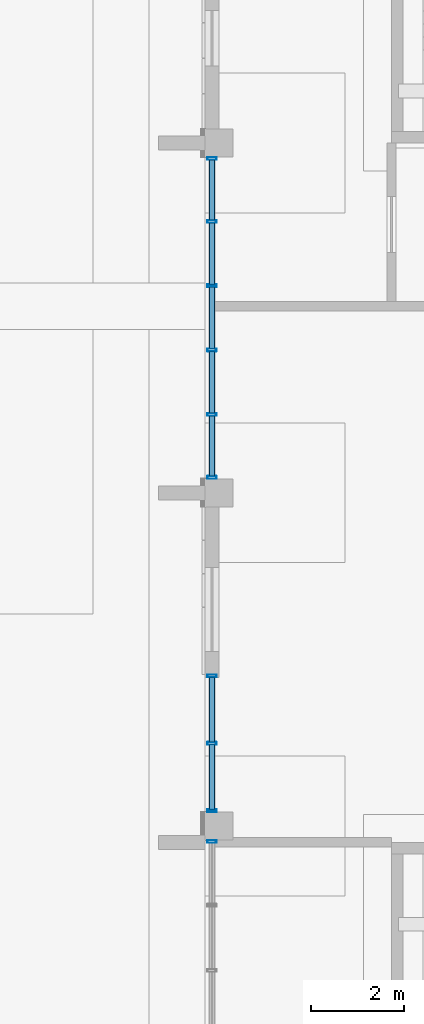
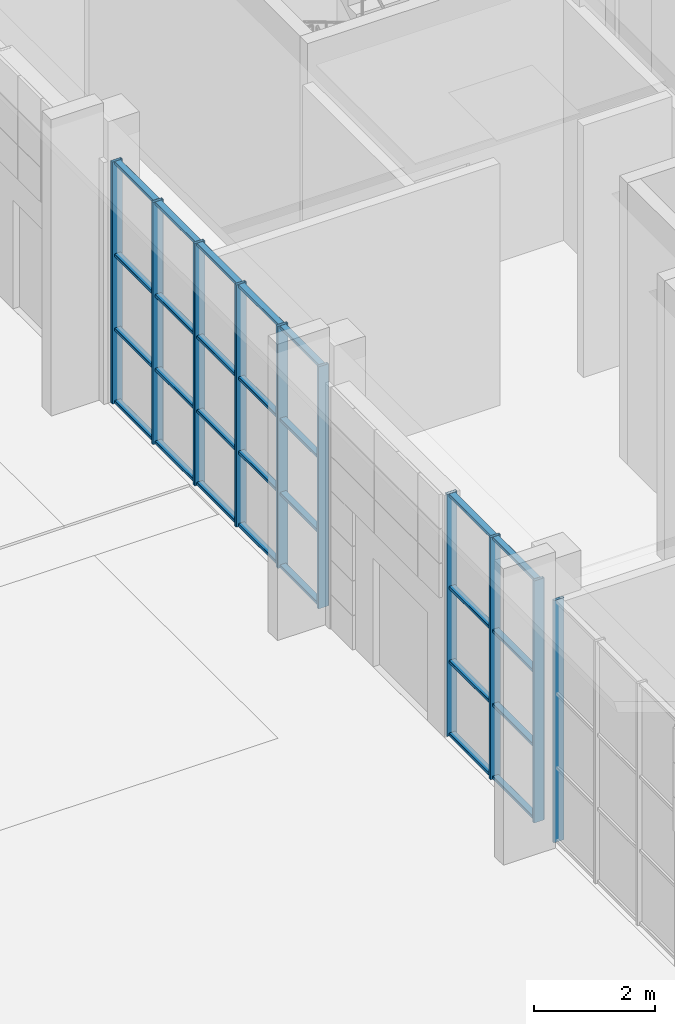
# One storey, part 32 of 125: 38 members, 3 elements without a shape of their own.
"""IFC4 building model written with IfcOpenShell, lengths in metres."""

from ifc_helpers import new_model, si_unit, direction, frame, origin, origin_2d, place, context, subcontext, project, spatial, hollow_rectangle, extrude, material, material_profile, profile_set, type_object, element, aggregate, save


model = new_model("IFC4")

# Units and contexts
model_context = context("Model", 3, precision=1e-05, world=origin(), true_north=direction((0.0, 1.0)))
body_context = subcontext(model_context, "Body", "Model", "MODEL_VIEW")
ifc_project = project(units=[si_unit("LENGTHUNIT", "METRE"), si_unit("AREAUNIT", "SQUARE_METRE"), si_unit("VOLUMEUNIT", "CUBIC_METRE"), si_unit("PLANEANGLEUNIT", "RADIAN"), si_unit("MASSUNIT", "GRAM", prefix="KILO")], contexts=[model_context])

# Site, building, storey
site_placement = place(None, origin())
site = spatial("IfcSite", under=ifc_project, at=site_placement, CompositionType="ELEMENT")
building_placement = place(site_placement, origin())
building = spatial("IfcBuilding", under=site, at=building_placement, Name="Sun Court Science Centre", CompositionType="ELEMENT")
storey_placement = place(building_placement, origin())
storey = spatial("IfcBuildingStorey", under=building, at=storey_placement, Name="L00", CompositionType="ELEMENT", Elevation=0.0)

# Curtain wall, member
ifc_material_1 = material(Name="Aluminium EN AW-6063 T6", Category="aluminium")
curtain_wall_type = type_object("IfcCurtainWallType", Name="Laboratory tall bay curtain wall 1500", PredefinedType="NOTDEFINED", material=ifc_material_1)
curtain_wall_1_placement = place(storey_placement, origin())
curtain_wall_1 = element("IfcCurtainWall", 1, at=curtain_wall_1_placement, inside=storey, type_object=curtain_wall_type, Name="Curtain wall V4 W L00 04", PredefinedType="NOTDEFINED")
ifc_material_2 = material(Name="Aluminium EN AW-6063 T6", Category="aluminium")
ifc_material_profile_1 = material_profile(ifc_material_2, hollow_rectangle(XDim=0.06005859375, YDim=0.199951171875, WallThickness=0.0048828125, InnerFilletRadius=0.0048828125, OuterFilletRadius=0.007568359375, at=origin_2d()), Name="AL 60x200x5")
ifc_profile_set_1 = profile_set([ifc_material_profile_1], Name="Aluminium EN AW-6063 T6")
member_type_1 = type_object("IfcMemberType", Name="Curtain wall mullion AL 60x200", PredefinedType="MULLION", material=ifc_profile_set_1)
member_1_placement = place(storey_placement, frame((78.14990234375, 43.52001953125, 0.0), z_axis=(0.0, 0.0, 1.0), x_axis=(0.0, 1.0, 0.0)))
member_1 = element("IfcMember", 2, at=member_1_placement, type_object=member_type_1, Name="CW2-04 mullion 4", PredefinedType="MULLION", context=body_context, shape_type="SweptSolid", body=[
    extrude(hollow_rectangle(XDim=0.06005859375, YDim=0.199951171875, WallThickness=0.0048828125, InnerFilletRadius=0.0048828125, OuterFilletRadius=0.007568359375, at=origin_2d()), origin(), (0.0, 0.0, 1.0), 4.89990234375),
])
aggregate(curtain_wall_1, [member_1])

# Curtain wall, members
curtain_wall_2_placement = place(storey_placement, origin())
curtain_wall_2 = element("IfcCurtainWall", 3, at=curtain_wall_2_placement, inside=storey, type_object=curtain_wall_type, Name="Curtain wall V4 W L00 05", PredefinedType="NOTDEFINED")
member_2_placement = place(storey_placement, frame((78.14990234375, 44.179931640625, 0.0), z_axis=(0.0, 0.0, 1.0), x_axis=(0.0, 1.0, 0.0)))
member_2 = element("IfcMember", 4, at=member_2_placement, type_object=member_type_1, Name="CW2-05 mullion 1", PredefinedType="MULLION", context=body_context, shape_type="SweptSolid", body=[
    extrude(hollow_rectangle(XDim=0.06005859375, YDim=0.199951171875, WallThickness=0.0048828125, InnerFilletRadius=0.0048828125, OuterFilletRadius=0.007568359375, at=origin_2d()), origin(), (0.0, 0.0, 1.0), 4.89990234375),
])
member_3_placement = place(storey_placement, frame((78.14990234375, 45.625, 0.0), z_axis=(0.0, 0.0, 1.0), x_axis=(0.0, 1.0, 0.0)))
member_3 = element("IfcMember", 5, at=member_3_placement, type_object=member_type_1, Name="CW2-05 mullion 2", PredefinedType="MULLION", context=body_context, shape_type="SweptSolid", body=[
    extrude(hollow_rectangle(XDim=0.06005859375, YDim=0.199951171875, WallThickness=0.0048828125, InnerFilletRadius=0.0048828125, OuterFilletRadius=0.007568359375, at=origin_2d()), origin(), (0.0, 0.0, 1.0), 4.89990234375),
])
member_4_placement = place(storey_placement, frame((78.14990234375, 47.070068359375, 0.0), z_axis=(0.0, 0.0, 1.0), x_axis=(0.0, 1.0, 0.0)))
member_4 = element("IfcMember", 6, at=member_4_placement, type_object=member_type_1, Name="CW2-05 mullion 3", PredefinedType="MULLION", context=body_context, shape_type="SweptSolid", body=[
    extrude(hollow_rectangle(XDim=0.06005859375, YDim=0.199951171875, WallThickness=0.0048828125, InnerFilletRadius=0.0048828125, OuterFilletRadius=0.007568359375, at=origin_2d()), origin(), (0.0, 0.0, 1.0), 4.89990234375),
])

curtain_wall_3_placement = place(storey_placement, origin())
curtain_wall_3 = element("IfcCurtainWall", 7, at=curtain_wall_3_placement, inside=storey, type_object=curtain_wall_type, Name="Curtain wall V4 W L00 06", PredefinedType="NOTDEFINED")
member_5_placement = place(storey_placement, frame((78.14990234375, 51.330078125, 0.0), z_axis=(0.0, 0.0, 1.0), x_axis=(0.0, 1.0, 0.0)))
member_5 = element("IfcMember", 8, at=member_5_placement, type_object=member_type_1, Name="CW2-06 mullion 1", PredefinedType="MULLION", context=body_context, shape_type="SweptSolid", body=[
    extrude(hollow_rectangle(XDim=0.06005859375, YDim=0.199951171875, WallThickness=0.0048828125, InnerFilletRadius=0.0048828125, OuterFilletRadius=0.007568359375, at=origin_2d()), origin(), (0.0, 0.0, 1.0), 4.89990234375),
])
member_6_placement = place(storey_placement, frame((78.14990234375, 52.679931640625, 0.0), z_axis=(0.0, 0.0, 1.0), x_axis=(0.0, 1.0, 0.0)))
member_6 = element("IfcMember", 9, at=member_6_placement, type_object=member_type_1, Name="CW2-06 mullion 2", PredefinedType="MULLION", context=body_context, shape_type="SweptSolid", body=[
    extrude(hollow_rectangle(XDim=0.06005859375, YDim=0.199951171875, WallThickness=0.0048828125, InnerFilletRadius=0.0048828125, OuterFilletRadius=0.007568359375, at=origin_2d()), origin(), (0.0, 0.0, 1.0), 4.89990234375),
])
member_7_placement = place(storey_placement, frame((78.14990234375, 54.06005859375, 0.0), z_axis=(0.0, 0.0, 1.0), x_axis=(0.0, 1.0, 0.0)))
member_7 = element("IfcMember", 10, at=member_7_placement, type_object=member_type_1, Name="CW2-06 mullion 3", PredefinedType="MULLION", context=body_context, shape_type="SweptSolid", body=[
    extrude(hollow_rectangle(XDim=0.06005859375, YDim=0.199951171875, WallThickness=0.0048828125, InnerFilletRadius=0.0048828125, OuterFilletRadius=0.007568359375, at=origin_2d()), origin(), (0.0, 0.0, 1.0), 4.89990234375),
])
member_8_placement = place(storey_placement, frame((78.14990234375, 55.43994140625, 0.0), z_axis=(0.0, 0.0, 1.0), x_axis=(0.0, 1.0, 0.0)))
member_8 = element("IfcMember", 11, at=member_8_placement, type_object=member_type_1, Name="CW2-06 mullion 4", PredefinedType="MULLION", context=body_context, shape_type="SweptSolid", body=[
    extrude(hollow_rectangle(XDim=0.06005859375, YDim=0.199951171875, WallThickness=0.0048828125, InnerFilletRadius=0.0048828125, OuterFilletRadius=0.007568359375, at=origin_2d()), origin(), (0.0, 0.0, 1.0), 4.89990234375),
])
member_9_placement = place(storey_placement, frame((78.14990234375, 56.820068359375, 0.0), z_axis=(0.0, 0.0, 1.0), x_axis=(0.0, 1.0, 0.0)))
member_9 = element("IfcMember", 12, at=member_9_placement, type_object=member_type_1, Name="CW2-06 mullion 5", PredefinedType="MULLION", context=body_context, shape_type="SweptSolid", body=[
    extrude(hollow_rectangle(XDim=0.06005859375, YDim=0.199951171875, WallThickness=0.0048828125, InnerFilletRadius=0.0048828125, OuterFilletRadius=0.007568359375, at=origin_2d()), origin(), (0.0, 0.0, 1.0), 4.89990234375),
])
member_10_placement = place(storey_placement, frame((78.14990234375, 58.169921875, 0.0), z_axis=(0.0, 0.0, 1.0), x_axis=(0.0, 1.0, 0.0)))
member_10 = element("IfcMember", 13, at=member_10_placement, type_object=member_type_1, Name="CW2-06 mullion 6", PredefinedType="MULLION", context=body_context, shape_type="SweptSolid", body=[
    extrude(hollow_rectangle(XDim=0.06005859375, YDim=0.199951171875, WallThickness=0.0048828125, InnerFilletRadius=0.0048828125, OuterFilletRadius=0.007568359375, at=origin_2d()), origin(), (0.0, 0.0, 1.0), 4.89990234375),
])

# Member
ifc_material_3 = material(Name="Aluminium EN AW-6063 T6", Category="aluminium")
ifc_material_profile_2 = material_profile(ifc_material_3, hollow_rectangle(XDim=0.06005859375, YDim=0.1201171875, WallThickness=0.00390625, InnerFilletRadius=0.00390625, OuterFilletRadius=0.006103515625, at=origin_2d()), Name="AL 60x120x4")
ifc_profile_set_2 = profile_set([ifc_material_profile_2], Name="Aluminium EN AW-6063 T6")
member_type_2 = type_object("IfcMemberType", Name="Curtain wall transom AL 60x120", PredefinedType="USERDEFINED", material=ifc_profile_set_2)
member_11_placement = place(storey_placement, frame((78.14990234375, 44.2099609375, 0.030029296875), z_axis=(0.0, 1.0, 0.0), x_axis=(0.0, 0.0, 1.0)))
member_11 = element("IfcMember", 14, at=member_11_placement, type_object=member_type_2, Name="CW2-05 transom 1.1", ObjectType="TRANSOM", PredefinedType="USERDEFINED", context=body_context, shape_type="SweptSolid", body=[
    extrude(hollow_rectangle(XDim=0.06005859375, YDim=0.1201171875, WallThickness=0.00390625, InnerFilletRadius=0.00390625, OuterFilletRadius=0.006103515625, at=origin_2d()), origin(), (0.0, 0.0, 1.0), 1.385009765625),
])

member_12_placement = place(storey_placement, frame((78.14990234375, 45.655029296875, 0.030029296875), z_axis=(0.0, 1.0, 0.0), x_axis=(0.0, 0.0, 1.0)))
member_12 = element("IfcMember", 15, at=member_12_placement, type_object=member_type_2, Name="CW2-05 transom 2.1", ObjectType="TRANSOM", PredefinedType="USERDEFINED", context=body_context, shape_type="SweptSolid", body=[
    extrude(hollow_rectangle(XDim=0.06005859375, YDim=0.1201171875, WallThickness=0.00390625, InnerFilletRadius=0.00390625, OuterFilletRadius=0.006103515625, at=origin_2d()), origin(), (0.0, 0.0, 1.0), 1.385009765625),
])

member_13_placement = place(storey_placement, frame((78.14990234375, 44.2099609375, 1.5), z_axis=(0.0, 1.0, 0.0), x_axis=(0.0, 0.0, 1.0)))
member_13 = element("IfcMember", 16, at=member_13_placement, type_object=member_type_2, Name="CW2-05 transom 1.2", ObjectType="TRANSOM", PredefinedType="USERDEFINED", context=body_context, shape_type="SweptSolid", body=[
    extrude(hollow_rectangle(XDim=0.06005859375, YDim=0.1201171875, WallThickness=0.00390625, InnerFilletRadius=0.00390625, OuterFilletRadius=0.006103515625, at=origin_2d()), origin(), (0.0, 0.0, 1.0), 1.385009765625),
])

member_14_placement = place(storey_placement, frame((78.14990234375, 45.655029296875, 1.5), z_axis=(0.0, 1.0, 0.0), x_axis=(0.0, 0.0, 1.0)))
member_14 = element("IfcMember", 17, at=member_14_placement, type_object=member_type_2, Name="CW2-05 transom 2.2", ObjectType="TRANSOM", PredefinedType="USERDEFINED", context=body_context, shape_type="SweptSolid", body=[
    extrude(hollow_rectangle(XDim=0.06005859375, YDim=0.1201171875, WallThickness=0.00390625, InnerFilletRadius=0.00390625, OuterFilletRadius=0.006103515625, at=origin_2d()), origin(), (0.0, 0.0, 1.0), 1.385009765625),
])

member_15_placement = place(storey_placement, frame((78.14990234375, 44.2099609375, 3.0), z_axis=(0.0, 1.0, 0.0), x_axis=(0.0, 0.0, 1.0)))
member_15 = element("IfcMember", 18, at=member_15_placement, type_object=member_type_2, Name="CW2-05 transom 1.3", ObjectType="TRANSOM", PredefinedType="USERDEFINED", context=body_context, shape_type="SweptSolid", body=[
    extrude(hollow_rectangle(XDim=0.06005859375, YDim=0.1201171875, WallThickness=0.00390625, InnerFilletRadius=0.00390625, OuterFilletRadius=0.006103515625, at=origin_2d()), origin(), (0.0, 0.0, 1.0), 1.385009765625),
])

member_16_placement = place(storey_placement, frame((78.14990234375, 45.655029296875, 3.0), z_axis=(0.0, 1.0, 0.0), x_axis=(0.0, 0.0, 1.0)))
member_16 = element("IfcMember", 19, at=member_16_placement, type_object=member_type_2, Name="CW2-05 transom 2.3", ObjectType="TRANSOM", PredefinedType="USERDEFINED", context=body_context, shape_type="SweptSolid", body=[
    extrude(hollow_rectangle(XDim=0.06005859375, YDim=0.1201171875, WallThickness=0.00390625, InnerFilletRadius=0.00390625, OuterFilletRadius=0.006103515625, at=origin_2d()), origin(), (0.0, 0.0, 1.0), 1.385009765625),
])

member_17_placement = place(storey_placement, frame((78.14990234375, 44.2099609375, 4.8701171875), z_axis=(0.0, 1.0, 0.0), x_axis=(0.0, 0.0, 1.0)))
member_17 = element("IfcMember", 20, at=member_17_placement, type_object=member_type_2, Name="CW2-05 transom 1.4", ObjectType="TRANSOM", PredefinedType="USERDEFINED", context=body_context, shape_type="SweptSolid", body=[
    extrude(hollow_rectangle(XDim=0.06005859375, YDim=0.1201171875, WallThickness=0.00390625, InnerFilletRadius=0.00390625, OuterFilletRadius=0.006103515625, at=origin_2d()), origin(), (0.0, 0.0, 1.0), 1.385009765625),
])

member_18_placement = place(storey_placement, frame((78.14990234375, 45.655029296875, 4.8701171875), z_axis=(0.0, 1.0, 0.0), x_axis=(0.0, 0.0, 1.0)))
member_18 = element("IfcMember", 21, at=member_18_placement, type_object=member_type_2, Name="CW2-05 transom 2.4", ObjectType="TRANSOM", PredefinedType="USERDEFINED", context=body_context, shape_type="SweptSolid", body=[
    extrude(hollow_rectangle(XDim=0.06005859375, YDim=0.1201171875, WallThickness=0.00390625, InnerFilletRadius=0.00390625, OuterFilletRadius=0.006103515625, at=origin_2d()), origin(), (0.0, 0.0, 1.0), 1.385009765625),
])

aggregate(curtain_wall_2, [member_2, member_3, member_4, member_11, member_12, member_13, member_14, member_15, member_16, member_17, member_18])

member_19_placement = place(storey_placement, frame((78.14990234375, 51.360107421875, 0.030029296875), z_axis=(0.0, 1.0, 0.0), x_axis=(0.0, 0.0, 1.0)))
member_19 = element("IfcMember", 22, at=member_19_placement, type_object=member_type_2, Name="CW2-06 transom 1.1", ObjectType="TRANSOM", PredefinedType="USERDEFINED", context=body_context, shape_type="SweptSolid", body=[
    extrude(hollow_rectangle(XDim=0.06005859375, YDim=0.1201171875, WallThickness=0.00390625, InnerFilletRadius=0.00390625, OuterFilletRadius=0.006103515625, at=origin_2d()), origin(), (0.0, 0.0, 1.0), 1.289794921875),
])

member_20_placement = place(storey_placement, frame((78.14990234375, 52.7099609375, 0.030029296875), z_axis=(0.0, 1.0, 0.0), x_axis=(0.0, 0.0, 1.0)))
member_20 = element("IfcMember", 23, at=member_20_placement, type_object=member_type_2, Name="CW2-06 transom 2.1", ObjectType="TRANSOM", PredefinedType="USERDEFINED", context=body_context, shape_type="SweptSolid", body=[
    extrude(hollow_rectangle(XDim=0.06005859375, YDim=0.1201171875, WallThickness=0.00390625, InnerFilletRadius=0.00390625, OuterFilletRadius=0.006103515625, at=origin_2d()), origin(), (0.0, 0.0, 1.0), 1.320068359375),
])

member_21_placement = place(storey_placement, frame((78.14990234375, 54.090087890625, 0.030029296875), z_axis=(0.0, 1.0, 0.0), x_axis=(0.0, 0.0, 1.0)))
member_21 = element("IfcMember", 24, at=member_21_placement, type_object=member_type_2, Name="CW2-06 transom 3.1", ObjectType="TRANSOM", PredefinedType="USERDEFINED", context=body_context, shape_type="SweptSolid", body=[
    extrude(hollow_rectangle(XDim=0.06005859375, YDim=0.1201171875, WallThickness=0.00390625, InnerFilletRadius=0.00390625, OuterFilletRadius=0.006103515625, at=origin_2d()), origin(), (0.0, 0.0, 1.0), 1.31982421875),
])

member_22_placement = place(storey_placement, frame((78.14990234375, 55.469970703125, 0.030029296875), z_axis=(0.0, 1.0, 0.0), x_axis=(0.0, 0.0, 1.0)))
member_22 = element("IfcMember", 25, at=member_22_placement, type_object=member_type_2, Name="CW2-06 transom 4.1", ObjectType="TRANSOM", PredefinedType="USERDEFINED", context=body_context, shape_type="SweptSolid", body=[
    extrude(hollow_rectangle(XDim=0.06005859375, YDim=0.1201171875, WallThickness=0.00390625, InnerFilletRadius=0.00390625, OuterFilletRadius=0.006103515625, at=origin_2d()), origin(), (0.0, 0.0, 1.0), 1.320068359375),
])

member_23_placement = place(storey_placement, frame((78.14990234375, 56.85009765625, 0.030029296875), z_axis=(0.0, 1.0, 0.0), x_axis=(0.0, 0.0, 1.0)))
member_23 = element("IfcMember", 26, at=member_23_placement, type_object=member_type_2, Name="CW2-06 transom 5.1", ObjectType="TRANSOM", PredefinedType="USERDEFINED", context=body_context, shape_type="SweptSolid", body=[
    extrude(hollow_rectangle(XDim=0.06005859375, YDim=0.1201171875, WallThickness=0.00390625, InnerFilletRadius=0.00390625, OuterFilletRadius=0.006103515625, at=origin_2d()), origin(), (0.0, 0.0, 1.0), 1.289794921875),
])

member_24_placement = place(storey_placement, frame((78.14990234375, 51.360107421875, 1.5), z_axis=(0.0, 1.0, 0.0), x_axis=(0.0, 0.0, 1.0)))
member_24 = element("IfcMember", 27, at=member_24_placement, type_object=member_type_2, Name="CW2-06 transom 1.2", ObjectType="TRANSOM", PredefinedType="USERDEFINED", context=body_context, shape_type="SweptSolid", body=[
    extrude(hollow_rectangle(XDim=0.06005859375, YDim=0.1201171875, WallThickness=0.00390625, InnerFilletRadius=0.00390625, OuterFilletRadius=0.006103515625, at=origin_2d()), origin(), (0.0, 0.0, 1.0), 1.289794921875),
])

member_25_placement = place(storey_placement, frame((78.14990234375, 52.7099609375, 1.5), z_axis=(0.0, 1.0, 0.0), x_axis=(0.0, 0.0, 1.0)))
member_25 = element("IfcMember", 28, at=member_25_placement, type_object=member_type_2, Name="CW2-06 transom 2.2", ObjectType="TRANSOM", PredefinedType="USERDEFINED", context=body_context, shape_type="SweptSolid", body=[
    extrude(hollow_rectangle(XDim=0.06005859375, YDim=0.1201171875, WallThickness=0.00390625, InnerFilletRadius=0.00390625, OuterFilletRadius=0.006103515625, at=origin_2d()), origin(), (0.0, 0.0, 1.0), 1.320068359375),
])

member_26_placement = place(storey_placement, frame((78.14990234375, 54.090087890625, 1.5), z_axis=(0.0, 1.0, 0.0), x_axis=(0.0, 0.0, 1.0)))
member_26 = element("IfcMember", 29, at=member_26_placement, type_object=member_type_2, Name="CW2-06 transom 3.2", ObjectType="TRANSOM", PredefinedType="USERDEFINED", context=body_context, shape_type="SweptSolid", body=[
    extrude(hollow_rectangle(XDim=0.06005859375, YDim=0.1201171875, WallThickness=0.00390625, InnerFilletRadius=0.00390625, OuterFilletRadius=0.006103515625, at=origin_2d()), origin(), (0.0, 0.0, 1.0), 1.31982421875),
])

member_27_placement = place(storey_placement, frame((78.14990234375, 55.469970703125, 1.5), z_axis=(0.0, 1.0, 0.0), x_axis=(0.0, 0.0, 1.0)))
member_27 = element("IfcMember", 30, at=member_27_placement, type_object=member_type_2, Name="CW2-06 transom 4.2", ObjectType="TRANSOM", PredefinedType="USERDEFINED", context=body_context, shape_type="SweptSolid", body=[
    extrude(hollow_rectangle(XDim=0.06005859375, YDim=0.1201171875, WallThickness=0.00390625, InnerFilletRadius=0.00390625, OuterFilletRadius=0.006103515625, at=origin_2d()), origin(), (0.0, 0.0, 1.0), 1.320068359375),
])

member_28_placement = place(storey_placement, frame((78.14990234375, 56.85009765625, 1.5), z_axis=(0.0, 1.0, 0.0), x_axis=(0.0, 0.0, 1.0)))
member_28 = element("IfcMember", 31, at=member_28_placement, type_object=member_type_2, Name="CW2-06 transom 5.2", ObjectType="TRANSOM", PredefinedType="USERDEFINED", context=body_context, shape_type="SweptSolid", body=[
    extrude(hollow_rectangle(XDim=0.06005859375, YDim=0.1201171875, WallThickness=0.00390625, InnerFilletRadius=0.00390625, OuterFilletRadius=0.006103515625, at=origin_2d()), origin(), (0.0, 0.0, 1.0), 1.289794921875),
])

member_29_placement = place(storey_placement, frame((78.14990234375, 51.360107421875, 3.0), z_axis=(0.0, 1.0, 0.0), x_axis=(0.0, 0.0, 1.0)))
member_29 = element("IfcMember", 32, at=member_29_placement, type_object=member_type_2, Name="CW2-06 transom 1.3", ObjectType="TRANSOM", PredefinedType="USERDEFINED", context=body_context, shape_type="SweptSolid", body=[
    extrude(hollow_rectangle(XDim=0.06005859375, YDim=0.1201171875, WallThickness=0.00390625, InnerFilletRadius=0.00390625, OuterFilletRadius=0.006103515625, at=origin_2d()), origin(), (0.0, 0.0, 1.0), 1.289794921875),
])

member_30_placement = place(storey_placement, frame((78.14990234375, 52.7099609375, 3.0), z_axis=(0.0, 1.0, 0.0), x_axis=(0.0, 0.0, 1.0)))
member_30 = element("IfcMember", 33, at=member_30_placement, type_object=member_type_2, Name="CW2-06 transom 2.3", ObjectType="TRANSOM", PredefinedType="USERDEFINED", context=body_context, shape_type="SweptSolid", body=[
    extrude(hollow_rectangle(XDim=0.06005859375, YDim=0.1201171875, WallThickness=0.00390625, InnerFilletRadius=0.00390625, OuterFilletRadius=0.006103515625, at=origin_2d()), origin(), (0.0, 0.0, 1.0), 1.320068359375),
])

member_31_placement = place(storey_placement, frame((78.14990234375, 54.090087890625, 3.0), z_axis=(0.0, 1.0, 0.0), x_axis=(0.0, 0.0, 1.0)))
member_31 = element("IfcMember", 34, at=member_31_placement, type_object=member_type_2, Name="CW2-06 transom 3.3", ObjectType="TRANSOM", PredefinedType="USERDEFINED", context=body_context, shape_type="SweptSolid", body=[
    extrude(hollow_rectangle(XDim=0.06005859375, YDim=0.1201171875, WallThickness=0.00390625, InnerFilletRadius=0.00390625, OuterFilletRadius=0.006103515625, at=origin_2d()), origin(), (0.0, 0.0, 1.0), 1.31982421875),
])

member_32_placement = place(storey_placement, frame((78.14990234375, 55.469970703125, 3.0), z_axis=(0.0, 1.0, 0.0), x_axis=(0.0, 0.0, 1.0)))
member_32 = element("IfcMember", 35, at=member_32_placement, type_object=member_type_2, Name="CW2-06 transom 4.3", ObjectType="TRANSOM", PredefinedType="USERDEFINED", context=body_context, shape_type="SweptSolid", body=[
    extrude(hollow_rectangle(XDim=0.06005859375, YDim=0.1201171875, WallThickness=0.00390625, InnerFilletRadius=0.00390625, OuterFilletRadius=0.006103515625, at=origin_2d()), origin(), (0.0, 0.0, 1.0), 1.320068359375),
])

member_33_placement = place(storey_placement, frame((78.14990234375, 56.85009765625, 3.0), z_axis=(0.0, 1.0, 0.0), x_axis=(0.0, 0.0, 1.0)))
member_33 = element("IfcMember", 36, at=member_33_placement, type_object=member_type_2, Name="CW2-06 transom 5.3", ObjectType="TRANSOM", PredefinedType="USERDEFINED", context=body_context, shape_type="SweptSolid", body=[
    extrude(hollow_rectangle(XDim=0.06005859375, YDim=0.1201171875, WallThickness=0.00390625, InnerFilletRadius=0.00390625, OuterFilletRadius=0.006103515625, at=origin_2d()), origin(), (0.0, 0.0, 1.0), 1.289794921875),
])

member_34_placement = place(storey_placement, frame((78.14990234375, 51.360107421875, 4.8701171875), z_axis=(0.0, 1.0, 0.0), x_axis=(0.0, 0.0, 1.0)))
member_34 = element("IfcMember", 37, at=member_34_placement, type_object=member_type_2, Name="CW2-06 transom 1.4", ObjectType="TRANSOM", PredefinedType="USERDEFINED", context=body_context, shape_type="SweptSolid", body=[
    extrude(hollow_rectangle(XDim=0.06005859375, YDim=0.1201171875, WallThickness=0.00390625, InnerFilletRadius=0.00390625, OuterFilletRadius=0.006103515625, at=origin_2d()), origin(), (0.0, 0.0, 1.0), 1.289794921875),
])

member_35_placement = place(storey_placement, frame((78.14990234375, 52.7099609375, 4.8701171875), z_axis=(0.0, 1.0, 0.0), x_axis=(0.0, 0.0, 1.0)))
member_35 = element("IfcMember", 38, at=member_35_placement, type_object=member_type_2, Name="CW2-06 transom 2.4", ObjectType="TRANSOM", PredefinedType="USERDEFINED", context=body_context, shape_type="SweptSolid", body=[
    extrude(hollow_rectangle(XDim=0.06005859375, YDim=0.1201171875, WallThickness=0.00390625, InnerFilletRadius=0.00390625, OuterFilletRadius=0.006103515625, at=origin_2d()), origin(), (0.0, 0.0, 1.0), 1.320068359375),
])

member_36_placement = place(storey_placement, frame((78.14990234375, 54.090087890625, 4.8701171875), z_axis=(0.0, 1.0, 0.0), x_axis=(0.0, 0.0, 1.0)))
member_36 = element("IfcMember", 39, at=member_36_placement, type_object=member_type_2, Name="CW2-06 transom 3.4", ObjectType="TRANSOM", PredefinedType="USERDEFINED", context=body_context, shape_type="SweptSolid", body=[
    extrude(hollow_rectangle(XDim=0.06005859375, YDim=0.1201171875, WallThickness=0.00390625, InnerFilletRadius=0.00390625, OuterFilletRadius=0.006103515625, at=origin_2d()), origin(), (0.0, 0.0, 1.0), 1.31982421875),
])

member_37_placement = place(storey_placement, frame((78.14990234375, 55.469970703125, 4.8701171875), z_axis=(0.0, 1.0, 0.0), x_axis=(0.0, 0.0, 1.0)))
member_37 = element("IfcMember", 40, at=member_37_placement, type_object=member_type_2, Name="CW2-06 transom 4.4", ObjectType="TRANSOM", PredefinedType="USERDEFINED", context=body_context, shape_type="SweptSolid", body=[
    extrude(hollow_rectangle(XDim=0.06005859375, YDim=0.1201171875, WallThickness=0.00390625, InnerFilletRadius=0.00390625, OuterFilletRadius=0.006103515625, at=origin_2d()), origin(), (0.0, 0.0, 1.0), 1.320068359375),
])

member_38_placement = place(storey_placement, frame((78.14990234375, 56.85009765625, 4.8701171875), z_axis=(0.0, 1.0, 0.0), x_axis=(0.0, 0.0, 1.0)))
member_38 = element("IfcMember", 41, at=member_38_placement, type_object=member_type_2, Name="CW2-06 transom 5.4", ObjectType="TRANSOM", PredefinedType="USERDEFINED", context=body_context, shape_type="SweptSolid", body=[
    extrude(hollow_rectangle(XDim=0.06005859375, YDim=0.1201171875, WallThickness=0.00390625, InnerFilletRadius=0.00390625, OuterFilletRadius=0.006103515625, at=origin_2d()), origin(), (0.0, 0.0, 1.0), 1.289794921875),
])

aggregate(curtain_wall_3, [member_5, member_6, member_7, member_8, member_9, member_10, member_19, member_20, member_21, member_22, member_23, member_24, member_25, member_26, member_27, member_28, member_29, member_30, member_31, member_32, member_33, member_34, member_35, member_36, member_37, member_38])

save(model, "model.ifc")
